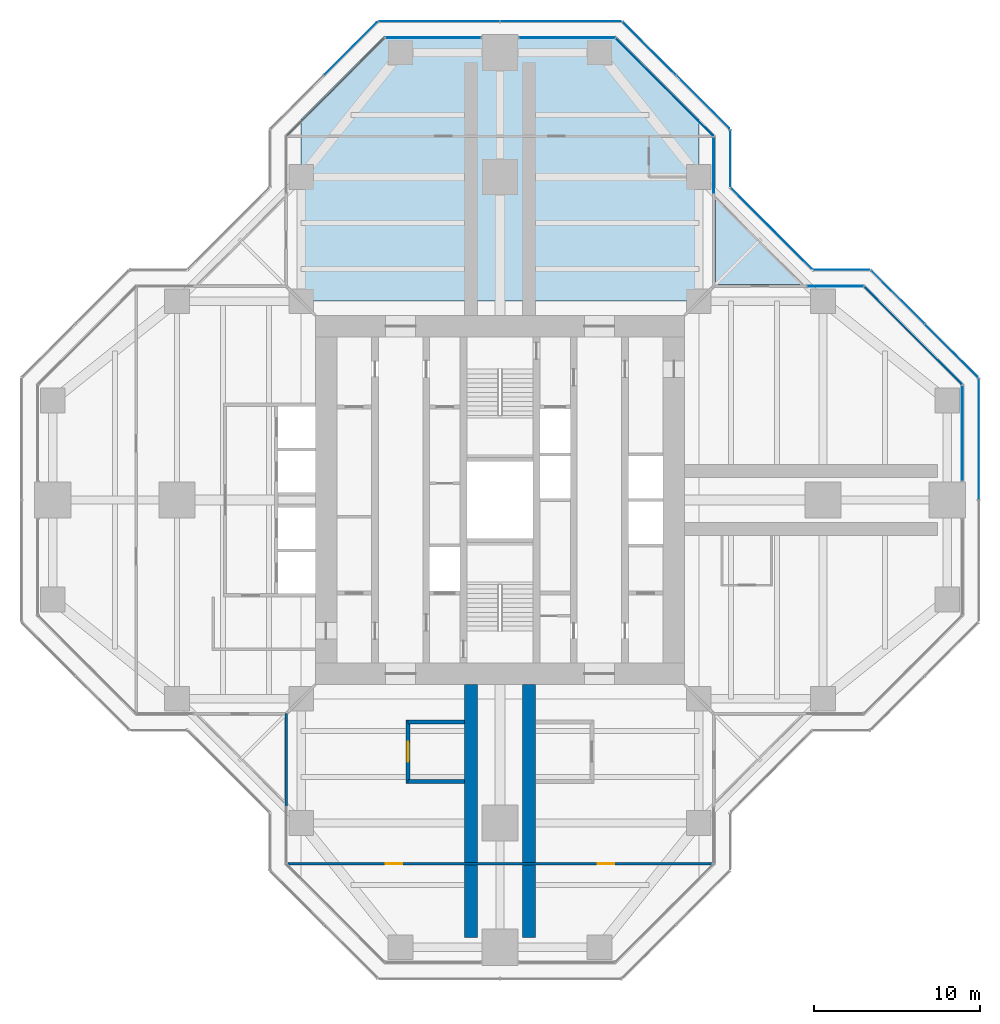
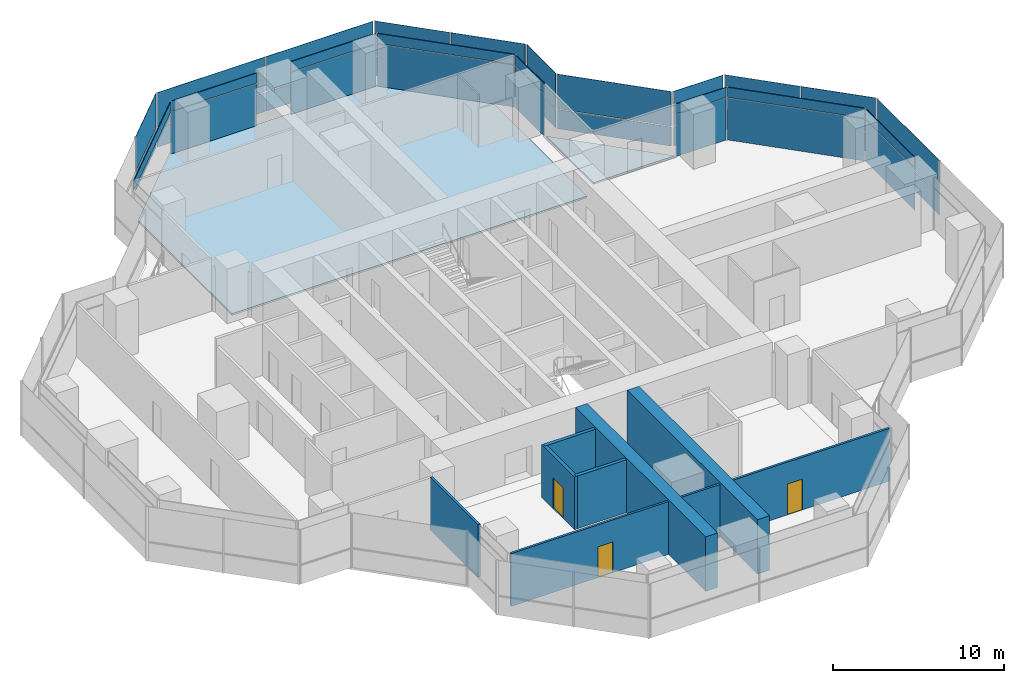
# One storey, part 12 of 17: 37 plates, 7 walls, 3 doors, 2 slabs, 3 openings, 16 elements without a shape of their own.
"""IFC4 building model written with IfcOpenShell, lengths in metres."""

from ifc_helpers import new_model, si_unit, direction, frame, frame_2d, origin, origin_2d, place, context, subcontext, project, spatial, polyline, rectangle, outline, extrude, material, layer, layer_set, type_object, element, fill, aggregate, save


model = new_model("IFC4")

# Units and contexts
model_context = context("Model", 3, precision=1e-05, world=origin(), true_north=direction((0.0, 1.0)))
body_context = subcontext(model_context, "Body", "Model", "MODEL_VIEW")
ifc_project = project(units=[si_unit("LENGTHUNIT", "METRE"), si_unit("AREAUNIT", "SQUARE_METRE"), si_unit("VOLUMEUNIT", "CUBIC_METRE"), si_unit("PLANEANGLEUNIT", "RADIAN"), si_unit("MASSUNIT", "GRAM", prefix="KILO")], contexts=[model_context])

# Site, building, storey
site_placement = place(None, origin())
site = spatial("IfcSite", under=ifc_project, at=site_placement, CompositionType="ELEMENT")
building_placement = place(site_placement, origin())
building = spatial("IfcBuilding", under=site, at=building_placement, Name="Mizan Broadcast Tower", CompositionType="ELEMENT")
storey_placement = place(building_placement, frame((0.0, 0.0, 224.39990234375)))
storey = spatial("IfcBuildingStorey", under=building, at=storey_placement, Name="L52", CompositionType="ELEMENT", Elevation=224.39990234375)

# Slab
ifc_material_1 = material(Name="Concrete C32/40", Category="concrete")
ifc_layer_1 = layer(ifc_material_1, 0.1298828125)
ifc_layer_set_1 = layer_set([ifc_layer_1], Name="Concrete C32/40")
slab_type_1 = type_object("IfcSlabType", Name="COMPOSITE DECK SLAB 130", PredefinedType="FLOOR", material=ifc_layer_set_1)
slab_1_placement = place(storey_placement, frame((0.0, 0.0, -0.1298828125)))
element("IfcSlab", 1, at=slab_1_placement, inside=storey, type_object=slab_type_1, Name="Floor slab L52 north arm", PredefinedType="FLOOR", context=body_context, shape_type="SweptSolid", body=[
    extrude(outline(polyline([(-7.0, 28.0), (-12.0, 23.0), (-12.0, 12.0), (12.0, 12.0), (12.0, 23.0), (7.0, 28.0), (-7.0, 28.0)])), origin(), (0.0, 0.0, 1.0), 0.1298828125),
])

# Curtain wall, plate
ifc_material_2 = material(Name="Aluminium framed glazing", Category="aluminium")
curtain_wall_type_1 = type_object("IfcCurtainWallType", Name="INNER SKIN HIGH ZONE", PredefinedType="USERDEFINED", material=ifc_material_2)
curtain_wall_1_placement = place(storey_placement, origin())
curtain_wall_1 = element("IfcCurtainWall", 2, at=curtain_wall_1_placement, inside=storey, type_object=curtain_wall_type_1, Name="Inner skin high zone L52 E end", ObjectType="INNER SKIN HIGH ZONE", PredefinedType="USERDEFINED")
ifc_material_3 = material(Name="Double glazing, clear low-e", Category="glass")
ifc_layer_2 = layer(ifc_material_3, 0.028076171875)
ifc_layer_set_2 = layer_set([ifc_layer_2], Name="Double glazing, clear low-e")
plate_type_1 = type_object("IfcPlateType", Name="INNER SKIN GLAZING UNIT", PredefinedType="CURTAIN_PANEL", material=ifc_layer_set_2)
plate_1_placement = place(storey_placement, frame((27.89990234375, 4.029296875, 0.0), z_axis=(0.0, 0.0, 1.0), x_axis=(0.0, 1.0, 0.0)))
plate_1 = element("IfcPlate", 3, at=plate_1_placement, type_object=plate_type_1, Name="Inner skin high zone L52 E end panel 1.1", PredefinedType="CURTAIN_PANEL", context=body_context, shape_type="SweptSolid", body=[
    extrude(rectangle(XDim=5.738525390625, YDim=0.028076171875, at=origin_2d()), origin(), (0.0, 0.0, 1.0), 3.0),
])

curtain_wall_2_placement = place(storey_placement, origin())
curtain_wall_2 = element("IfcCurtainWall", 4, at=curtain_wall_2_placement, inside=storey, type_object=curtain_wall_type_1, Name="Inner skin high zone L52 E chamfer", ObjectType="INNER SKIN HIGH ZONE", PredefinedType="USERDEFINED")
plate_2_placement = place(storey_placement, frame((24.92919921875, 9.92919921875, 0.0), z_axis=(0.0, 0.0, 1.0), x_axis=(-0.707106781187, 0.707106781187, 0.0)))
plate_2 = element("IfcPlate", 5, at=plate_2_placement, type_object=plate_type_1, Name="Inner skin high zone L52 E chamfer panel 1.1", PredefinedType="CURTAIN_PANEL", context=body_context, shape_type="SweptSolid", body=[
    extrude(rectangle(XDim=8.282470703125, YDim=0.028076171875, at=origin_2d()), origin(), (0.0, 0.0, 1.0), 3.0),
])

curtain_wall_3_placement = place(storey_placement, origin())
curtain_wall_3 = element("IfcCurtainWall", 6, at=curtain_wall_3_placement, inside=storey, type_object=curtain_wall_type_1, Name="Inner skin high zone L52 E side", ObjectType="INNER SKIN HIGH ZONE", PredefinedType="USERDEFINED")
plate_3_placement = place(storey_placement, frame((20.229248046875, 12.89990234375, 0.0), z_axis=(0.0, 0.0, 1.0), x_axis=(-1.0, 0.0, 0.0)))
plate_3 = element("IfcPlate", 7, at=plate_3_placement, type_object=plate_type_1, Name="Inner skin high zone L52 E side panel 1.1", PredefinedType="CURTAIN_PANEL", context=body_context, shape_type="SweptSolid", body=[
    extrude(rectangle(XDim=3.338623046875, YDim=0.028076171875, at=origin_2d()), origin(), (0.0, 0.0, 1.0), 3.0),
])

curtain_wall_4_placement = place(storey_placement, origin())
curtain_wall_4 = element("IfcCurtainWall", 8, at=curtain_wall_4_placement, inside=storey, type_object=curtain_wall_type_1, Name="Inner skin high zone L52 N side", ObjectType="INNER SKIN HIGH ZONE", PredefinedType="USERDEFINED")
plate_4_placement = place(storey_placement, frame((12.89990234375, 20.229248046875, 0.0), z_axis=(0.0, 0.0, 1.0), x_axis=(0.0, 1.0, 0.0)))
plate_4 = element("IfcPlate", 9, at=plate_4_placement, type_object=plate_type_1, Name="Inner skin high zone L52 N side panel 1.1", PredefinedType="CURTAIN_PANEL", context=body_context, shape_type="SweptSolid", body=[
    extrude(rectangle(XDim=3.338623046875, YDim=0.028076171875, at=origin_2d()), origin(), (0.0, 0.0, 1.0), 3.0),
])

curtain_wall_5_placement = place(storey_placement, origin())
curtain_wall_5 = element("IfcCurtainWall", 10, at=curtain_wall_5_placement, inside=storey, type_object=curtain_wall_type_1, Name="Inner skin high zone L52 N chamfer", ObjectType="INNER SKIN HIGH ZONE", PredefinedType="USERDEFINED")
plate_5_placement = place(storey_placement, frame((9.92919921875, 24.92919921875, 0.0), z_axis=(0.0, 0.0, 1.0), x_axis=(-0.707106781187, 0.707106781187, 0.0)))
plate_5 = element("IfcPlate", 11, at=plate_5_placement, type_object=plate_type_1, Name="Inner skin high zone L52 N chamfer panel 1.1", PredefinedType="CURTAIN_PANEL", context=body_context, shape_type="SweptSolid", body=[
    extrude(rectangle(XDim=8.282470703125, YDim=0.028076171875, at=origin_2d()), origin(), (0.0, 0.0, 1.0), 3.0),
])

curtain_wall_6_placement = place(storey_placement, origin())
curtain_wall_6 = element("IfcCurtainWall", 12, at=curtain_wall_6_placement, inside=storey, type_object=curtain_wall_type_1, Name="Inner skin high zone L52 N end", ObjectType="INNER SKIN HIGH ZONE", PredefinedType="USERDEFINED")
plate_6_placement = place(storey_placement, frame((4.029296875, 27.89990234375, 0.0), z_axis=(0.0, 0.0, 1.0), x_axis=(-1.0, 0.0, 0.0)))
plate_6 = element("IfcPlate", 13, at=plate_6_placement, type_object=plate_type_1, Name="Inner skin high zone L52 N end panel 1.1", PredefinedType="CURTAIN_PANEL", context=body_context, shape_type="SweptSolid", body=[
    extrude(rectangle(XDim=5.738525390625, YDim=0.028076171875, at=origin_2d()), origin(), (0.0, 0.0, 1.0), 3.0),
])

curtain_wall_7_placement = place(storey_placement, origin())
curtain_wall_7 = element("IfcCurtainWall", 14, at=curtain_wall_7_placement, inside=storey, type_object=curtain_wall_type_1, Name="Inner skin high zone L52 N end", ObjectType="INNER SKIN HIGH ZONE", PredefinedType="USERDEFINED")
plate_7_placement = place(storey_placement, frame((-4.029296875, 27.89990234375, 0.0), z_axis=(0.0, 0.0, 1.0), x_axis=(-1.0, 0.0, 0.0)))
plate_7 = element("IfcPlate", 15, at=plate_7_placement, type_object=plate_type_1, Name="Inner skin high zone L52 N end panel 1.1", PredefinedType="CURTAIN_PANEL", context=body_context, shape_type="SweptSolid", body=[
    extrude(rectangle(XDim=5.738525390625, YDim=0.028076171875, at=origin_2d()), origin(), (0.0, 0.0, 1.0), 3.0),
])

# Plate
ifc_material_4 = material(Name="Insulated aluminium spandrel panel, pale anodised", Category="aluminium")
ifc_layer_3 = layer(ifc_material_4, 0.050048828125)
ifc_layer_set_3 = layer_set([ifc_layer_3], Name="Insulated aluminium spandrel panel, pale anodised")
plate_type_2 = type_object("IfcPlateType", Name="INNER SKIN SPANDREL PANEL", PredefinedType="CURTAIN_PANEL", material=ifc_layer_set_3)
plate_8_placement = place(storey_placement, frame((27.89990234375, 4.029296875, 3.06005859375), z_axis=(0.0, 0.0, 1.0), x_axis=(0.0, 1.0, 0.0)))
plate_8 = element("IfcPlate", 16, at=plate_8_placement, type_object=plate_type_2, Name="Inner skin high zone L52 E end panel 1.2", PredefinedType="CURTAIN_PANEL", context=body_context, shape_type="SweptSolid", body=[
    extrude(rectangle(XDim=5.738525390625, YDim=0.050048828125, at=origin_2d()), origin(), (0.0, 0.0, 1.0), 0.7099609375),
])

aggregate(curtain_wall_1, [plate_1, plate_8])

plate_9_placement = place(storey_placement, frame((24.92919921875, 9.92919921875, 3.06005859375), z_axis=(0.0, 0.0, 1.0), x_axis=(-0.707106781187, 0.707106781187, 0.0)))
plate_9 = element("IfcPlate", 17, at=plate_9_placement, type_object=plate_type_2, Name="Inner skin high zone L52 E chamfer panel 1.2", PredefinedType="CURTAIN_PANEL", context=body_context, shape_type="SweptSolid", body=[
    extrude(rectangle(XDim=8.282470703125, YDim=0.050048828125, at=origin_2d()), origin(), (0.0, 0.0, 1.0), 0.7099609375),
])

aggregate(curtain_wall_2, [plate_2, plate_9])

plate_10_placement = place(storey_placement, frame((20.229248046875, 12.89990234375, 3.06005859375), z_axis=(0.0, 0.0, 1.0), x_axis=(-1.0, 0.0, 0.0)))
plate_10 = element("IfcPlate", 18, at=plate_10_placement, type_object=plate_type_2, Name="Inner skin high zone L52 E side panel 1.2", PredefinedType="CURTAIN_PANEL", context=body_context, shape_type="SweptSolid", body=[
    extrude(rectangle(XDim=3.338623046875, YDim=0.050048828125, at=origin_2d()), origin(), (0.0, 0.0, 1.0), 0.7099609375),
])

aggregate(curtain_wall_3, [plate_3, plate_10])

plate_11_placement = place(storey_placement, frame((12.89990234375, 20.229248046875, 3.06005859375), z_axis=(0.0, 0.0, 1.0), x_axis=(0.0, 1.0, 0.0)))
plate_11 = element("IfcPlate", 19, at=plate_11_placement, type_object=plate_type_2, Name="Inner skin high zone L52 N side panel 1.2", PredefinedType="CURTAIN_PANEL", context=body_context, shape_type="SweptSolid", body=[
    extrude(rectangle(XDim=3.338623046875, YDim=0.050048828125, at=origin_2d()), origin(), (0.0, 0.0, 1.0), 0.7099609375),
])

aggregate(curtain_wall_4, [plate_4, plate_11])

plate_12_placement = place(storey_placement, frame((9.92919921875, 24.92919921875, 3.06005859375), z_axis=(0.0, 0.0, 1.0), x_axis=(-0.707106781187, 0.707106781187, 0.0)))
plate_12 = element("IfcPlate", 20, at=plate_12_placement, type_object=plate_type_2, Name="Inner skin high zone L52 N chamfer panel 1.2", PredefinedType="CURTAIN_PANEL", context=body_context, shape_type="SweptSolid", body=[
    extrude(rectangle(XDim=8.282470703125, YDim=0.050048828125, at=origin_2d()), origin(), (0.0, 0.0, 1.0), 0.7099609375),
])

aggregate(curtain_wall_5, [plate_5, plate_12])

plate_13_placement = place(storey_placement, frame((4.029296875, 27.89990234375, 3.06005859375), z_axis=(0.0, 0.0, 1.0), x_axis=(-1.0, 0.0, 0.0)))
plate_13 = element("IfcPlate", 21, at=plate_13_placement, type_object=plate_type_2, Name="Inner skin high zone L52 N end panel 1.2", PredefinedType="CURTAIN_PANEL", context=body_context, shape_type="SweptSolid", body=[
    extrude(rectangle(XDim=5.738525390625, YDim=0.050048828125, at=origin_2d()), origin(), (0.0, 0.0, 1.0), 0.7099609375),
])

aggregate(curtain_wall_6, [plate_6, plate_13])

plate_14_placement = place(storey_placement, frame((-4.029296875, 27.89990234375, 3.06005859375), z_axis=(0.0, 0.0, 1.0), x_axis=(-1.0, 0.0, 0.0)))
plate_14 = element("IfcPlate", 22, at=plate_14_placement, type_object=plate_type_2, Name="Inner skin high zone L52 N end panel 1.2", PredefinedType="CURTAIN_PANEL", context=body_context, shape_type="SweptSolid", body=[
    extrude(rectangle(XDim=5.738525390625, YDim=0.050048828125, at=origin_2d()), origin(), (0.0, 0.0, 1.0), 0.7099609375),
])

aggregate(curtain_wall_7, [plate_7, plate_14])

# Curtain wall, plate
curtain_wall_8_placement = place(storey_placement, origin())
curtain_wall_8 = element("IfcCurtainWall", 23, at=curtain_wall_8_placement, inside=storey, type_object=curtain_wall_type_1, Name="Inner skin high zone L52 N chamfer", ObjectType="INNER SKIN HIGH ZONE", PredefinedType="USERDEFINED")
plate_15_placement = place(storey_placement, frame((-9.92919921875, 24.92919921875, 3.06005859375), z_axis=(0.0, 0.0, 1.0), x_axis=(-0.707106781187, -0.707106781187, 0.0)))
plate_15 = element("IfcPlate", 24, at=plate_15_placement, type_object=plate_type_2, Name="Inner skin high zone L52 N chamfer panel 1.2", PredefinedType="CURTAIN_PANEL", context=body_context, shape_type="SweptSolid", body=[
    extrude(rectangle(XDim=8.282470703125, YDim=0.050048828125, at=origin_2d()), origin(), (0.0, 0.0, 1.0), 0.7099609375),
])
aggregate(curtain_wall_8, [plate_15])

# Curtain wall, plates
ifc_material_5 = material(Name="Aluminium framed glazing", Category="aluminium")
curtain_wall_type_2 = type_object("IfcCurtainWallType", Name="OUTER SKIN", PredefinedType="USERDEFINED", material=ifc_material_5)
curtain_wall_9_placement = place(storey_placement, origin())
curtain_wall_9 = element("IfcCurtainWall", 25, at=curtain_wall_9_placement, inside=storey, type_object=curtain_wall_type_2, Name="Outer skin L52 E chamfer", ObjectType="OUTER SKIN", PredefinedType="USERDEFINED")
ifc_material_6 = material(Name="Laminated clear glass", Category="glass")
ifc_layer_4 = layer(ifc_material_6, 0.02001953125)
ifc_layer_set_4 = layer_set([ifc_layer_4], Name="Laminated clear glass")
plate_type_3 = type_object("IfcPlateType", Name="OUTER SKIN CLEAR GLASS", PredefinedType="CURTAIN_PANEL", material=ifc_layer_set_4)
plate_16_placement = place(storey_placement, frame((27.254150390625, 9.018798828125, 0.0), z_axis=(0.0, 0.0, 1.0), x_axis=(-0.707106781187, 0.707106781187, 0.0)))
plate_16 = element("IfcPlate", 26, at=plate_16_placement, type_object=plate_type_3, Name="Outer skin L52 E chamfer panel 1.1", PredefinedType="CURTAIN_PANEL", context=body_context, shape_type="SweptSolid", body=[
    extrude(rectangle(XDim=4.495361328125, YDim=0.02001953125, at=origin_2d()), origin(), (0.0, 0.0, 1.0), 1.3701171875),
])
plate_17_placement = place(storey_placement, frame((27.254150390625, 9.018798828125, 1.43017578125), z_axis=(0.0, 0.0, 1.0), x_axis=(-0.707106781187, 0.707106781187, 0.0)))
plate_17 = element("IfcPlate", 27, at=plate_17_placement, type_object=plate_type_3, Name="Outer skin L52 E chamfer panel 1.2", PredefinedType="CURTAIN_PANEL", context=body_context, shape_type="SweptSolid", body=[
    extrude(rectangle(XDim=4.495361328125, YDim=0.02001953125, at=origin_2d()), origin(), (0.0, 0.0, 1.0), 2.469970703125),
])

curtain_wall_10_placement = place(storey_placement, origin())
curtain_wall_10 = element("IfcCurtainWall", 28, at=curtain_wall_10_placement, inside=storey, type_object=curtain_wall_type_2, Name="Outer skin L52 E side", ObjectType="OUTER SKIN", PredefinedType="USERDEFINED")
plate_18_placement = place(storey_placement, frame((20.622802734375, 13.89990234375, 0.0), z_axis=(0.0, 0.0, 1.0), x_axis=(-1.0, 0.0, 0.0)))
plate_18 = element("IfcPlate", 29, at=plate_18_placement, type_object=plate_type_3, Name="Outer skin L52 E side panel 1.1", PredefinedType="CURTAIN_PANEL", context=body_context, shape_type="SweptSolid", body=[
    extrude(rectangle(XDim=3.340087890625, YDim=0.02001953125, at=origin_2d()), origin(), (0.0, 0.0, 1.0), 1.3701171875),
])
plate_19_placement = place(storey_placement, frame((20.622802734375, 13.89990234375, 1.43017578125), z_axis=(0.0, 0.0, 1.0), x_axis=(-1.0, 0.0, 0.0)))
plate_19 = element("IfcPlate", 30, at=plate_19_placement, type_object=plate_type_3, Name="Outer skin L52 E side panel 1.2", PredefinedType="CURTAIN_PANEL", context=body_context, shape_type="SweptSolid", body=[
    extrude(rectangle(XDim=3.340087890625, YDim=0.02001953125, at=origin_2d()), origin(), (0.0, 0.0, 1.0), 2.469970703125),
])
aggregate(curtain_wall_10, [plate_18, plate_19])

curtain_wall_11_placement = place(storey_placement, origin())
curtain_wall_11 = element("IfcCurtainWall", 31, at=curtain_wall_11_placement, inside=storey, type_object=curtain_wall_type_2, Name="Outer skin L52 E chamfer", ObjectType="OUTER SKIN", PredefinedType="USERDEFINED")
plate_20_placement = place(storey_placement, frame((16.386474609375, 16.386474609375, 0.0), z_axis=(0.0, 0.0, 1.0), x_axis=(-0.707106781187, 0.707106781187, 0.0)))
plate_20 = element("IfcPlate", 32, at=plate_20_placement, type_object=plate_type_3, Name="Outer skin L52 E chamfer panel 1.1", PredefinedType="CURTAIN_PANEL", context=body_context, shape_type="SweptSolid", body=[
    extrude(rectangle(XDim=6.87255859375, YDim=0.02001953125, at=origin_2d()), origin(), (0.0, 0.0, 1.0), 1.3701171875),
])
plate_21_placement = place(storey_placement, frame((16.386474609375, 16.386474609375, 1.43017578125), z_axis=(0.0, 0.0, 1.0), x_axis=(-0.707106781187, 0.707106781187, 0.0)))
plate_21 = element("IfcPlate", 33, at=plate_21_placement, type_object=plate_type_3, Name="Outer skin L52 E chamfer panel 1.2", PredefinedType="CURTAIN_PANEL", context=body_context, shape_type="SweptSolid", body=[
    extrude(rectangle(XDim=6.87255859375, YDim=0.02001953125, at=origin_2d()), origin(), (0.0, 0.0, 1.0), 2.469970703125),
])
aggregate(curtain_wall_11, [plate_20, plate_21])

curtain_wall_12_placement = place(storey_placement, origin())
curtain_wall_12 = element("IfcCurtainWall", 34, at=curtain_wall_12_placement, inside=storey, type_object=curtain_wall_type_2, Name="Outer skin L52 N side", ObjectType="OUTER SKIN", PredefinedType="USERDEFINED")
plate_22_placement = place(storey_placement, frame((13.89990234375, 20.622802734375, 0.0), z_axis=(0.0, 0.0, 1.0), x_axis=(0.0, 1.0, 0.0)))
plate_22 = element("IfcPlate", 35, at=plate_22_placement, type_object=plate_type_3, Name="Outer skin L52 N side panel 1.1", PredefinedType="CURTAIN_PANEL", context=body_context, shape_type="SweptSolid", body=[
    extrude(rectangle(XDim=3.340087890625, YDim=0.02001953125, at=origin_2d()), origin(), (0.0, 0.0, 1.0), 1.3701171875),
])
plate_23_placement = place(storey_placement, frame((13.89990234375, 20.622802734375, 1.43017578125), z_axis=(0.0, 0.0, 1.0), x_axis=(0.0, 1.0, 0.0)))
plate_23 = element("IfcPlate", 36, at=plate_23_placement, type_object=plate_type_3, Name="Outer skin L52 N side panel 1.2", PredefinedType="CURTAIN_PANEL", context=body_context, shape_type="SweptSolid", body=[
    extrude(rectangle(XDim=3.340087890625, YDim=0.02001953125, at=origin_2d()), origin(), (0.0, 0.0, 1.0), 2.469970703125),
])
aggregate(curtain_wall_12, [plate_22, plate_23])

curtain_wall_13_placement = place(storey_placement, origin())
curtain_wall_13 = element("IfcCurtainWall", 37, at=curtain_wall_13_placement, inside=storey, type_object=curtain_wall_type_2, Name="Outer skin L52 N chamfer", ObjectType="OUTER SKIN", PredefinedType="USERDEFINED")
plate_24_placement = place(storey_placement, frame((12.254150390625, 24.018798828125, 0.0), z_axis=(0.0, 0.0, 1.0), x_axis=(-0.707106781187, 0.707106781187, 0.0)))
plate_24 = element("IfcPlate", 38, at=plate_24_placement, type_object=plate_type_3, Name="Outer skin L52 N chamfer panel 1.1", PredefinedType="CURTAIN_PANEL", context=body_context, shape_type="SweptSolid", body=[
    extrude(rectangle(XDim=4.495361328125, YDim=0.02001953125, at=origin_2d()), origin(), (0.0, 0.0, 1.0), 1.3701171875),
])
plate_25_placement = place(storey_placement, frame((12.254150390625, 24.018798828125, 1.43017578125), z_axis=(0.0, 0.0, 1.0), x_axis=(-0.707106781187, 0.707106781187, 0.0)))
plate_25 = element("IfcPlate", 39, at=plate_25_placement, type_object=plate_type_3, Name="Outer skin L52 N chamfer panel 1.2", PredefinedType="CURTAIN_PANEL", context=body_context, shape_type="SweptSolid", body=[
    extrude(rectangle(XDim=4.495361328125, YDim=0.02001953125, at=origin_2d()), origin(), (0.0, 0.0, 1.0), 2.469970703125),
])

curtain_wall_14_placement = place(storey_placement, origin())
curtain_wall_14 = element("IfcCurtainWall", 40, at=curtain_wall_14_placement, inside=storey, type_object=curtain_wall_type_2, Name="Outer skin L52 N end", ObjectType="OUTER SKIN", PredefinedType="USERDEFINED")
plate_26_placement = place(storey_placement, frame((3.66650390625, 28.89990234375, 0.0), z_axis=(0.0, 0.0, 1.0), x_axis=(-1.0, 0.0, 0.0)))
plate_26 = element("IfcPlate", 41, at=plate_26_placement, type_object=plate_type_3, Name="Outer skin L52 N end panel 1.1", PredefinedType="CURTAIN_PANEL", context=body_context, shape_type="SweptSolid", body=[
    extrude(rectangle(XDim=7.252685546875, YDim=0.02001953125, at=origin_2d()), origin(), (0.0, 0.0, 1.0), 1.3701171875),
])
plate_27_placement = place(storey_placement, frame((3.66650390625, 28.89990234375, 1.43017578125), z_axis=(0.0, 0.0, 1.0), x_axis=(-1.0, 0.0, 0.0)))
plate_27 = element("IfcPlate", 42, at=plate_27_placement, type_object=plate_type_3, Name="Outer skin L52 N end panel 1.2", PredefinedType="CURTAIN_PANEL", context=body_context, shape_type="SweptSolid", body=[
    extrude(rectangle(XDim=7.252685546875, YDim=0.02001953125, at=origin_2d()), origin(), (0.0, 0.0, 1.0), 2.469970703125),
])
plate_28_placement = place(storey_placement, frame((-3.66650390625, 28.89990234375, 0.0), z_axis=(0.0, 0.0, 1.0), x_axis=(-1.0, 0.0, 0.0)))
plate_28 = element("IfcPlate", 43, at=plate_28_placement, type_object=plate_type_3, Name="Outer skin L52 N end panel 2.1", PredefinedType="CURTAIN_PANEL", context=body_context, shape_type="SweptSolid", body=[
    extrude(rectangle(XDim=7.252685546875, YDim=0.02001953125, at=origin_2d()), origin(), (0.0, 0.0, 1.0), 1.3701171875),
])
plate_29_placement = place(storey_placement, frame((-3.66650390625, 28.89990234375, 1.43017578125), z_axis=(0.0, 0.0, 1.0), x_axis=(-1.0, 0.0, 0.0)))
plate_29 = element("IfcPlate", 44, at=plate_29_placement, type_object=plate_type_3, Name="Outer skin L52 N end panel 2.2", PredefinedType="CURTAIN_PANEL", context=body_context, shape_type="SweptSolid", body=[
    extrude(rectangle(XDim=7.252685546875, YDim=0.02001953125, at=origin_2d()), origin(), (0.0, 0.0, 1.0), 2.469970703125),
])
aggregate(curtain_wall_14, [plate_26, plate_27, plate_28, plate_29])

curtain_wall_15_placement = place(storey_placement, origin())
curtain_wall_15 = element("IfcCurtainWall", 45, at=curtain_wall_15_placement, inside=storey, type_object=curtain_wall_type_2, Name="Outer skin L52 N chamfer", ObjectType="OUTER SKIN", PredefinedType="USERDEFINED")
plate_30_placement = place(storey_placement, frame((-9.018798828125, 27.254150390625, 0.0), z_axis=(0.0, 0.0, 1.0), x_axis=(-0.707106781187, -0.707106781187, 0.0)))
plate_30 = element("IfcPlate", 46, at=plate_30_placement, type_object=plate_type_3, Name="Outer skin L52 N chamfer panel 1.1", PredefinedType="CURTAIN_PANEL", context=body_context, shape_type="SweptSolid", body=[
    extrude(rectangle(XDim=4.495361328125, YDim=0.02001953125, at=origin_2d()), origin(), (0.0, 0.0, 1.0), 1.3701171875),
])
plate_31_placement = place(storey_placement, frame((-9.018798828125, 27.254150390625, 1.43017578125), z_axis=(0.0, 0.0, 1.0), x_axis=(-0.707106781187, -0.707106781187, 0.0)))
plate_31 = element("IfcPlate", 47, at=plate_31_placement, type_object=plate_type_3, Name="Outer skin L52 N chamfer panel 1.2", PredefinedType="CURTAIN_PANEL", context=body_context, shape_type="SweptSolid", body=[
    extrude(rectangle(XDim=4.495361328125, YDim=0.02001953125, at=origin_2d()), origin(), (0.0, 0.0, 1.0), 2.469970703125),
])
aggregate(curtain_wall_15, [plate_30, plate_31])

curtain_wall_16_placement = place(storey_placement, origin())
curtain_wall_16 = element("IfcCurtainWall", 48, at=curtain_wall_16_placement, inside=storey, type_object=curtain_wall_type_2, Name="Outer skin L52 E end", ObjectType="OUTER SKIN", PredefinedType="USERDEFINED")
ifc_material_7 = material(Name="Perforated aluminium, pale anodised", Category="aluminium")
ifc_layer_5 = layer(ifc_material_7, 0.011962890625)
ifc_layer_set_5 = layer_set([ifc_layer_5], Name="Perforated aluminium, pale anodised")
plate_type_4 = type_object("IfcPlateType", Name="OUTER SKIN PERFORATED SCREEN", PredefinedType="USERDEFINED", material=ifc_layer_set_5)
plate_32_placement = place(storey_placement, frame((28.89990234375, 3.66650390625, 0.0), z_axis=(0.0, 0.0, 1.0), x_axis=(0.0, 1.0, 0.0)))
plate_32 = element("IfcPlate", 49, at=plate_32_placement, type_object=plate_type_4, Name="Outer skin L52 E end panel 2.1", ObjectType="SCREEN", PredefinedType="USERDEFINED", context=body_context, shape_type="SweptSolid", body=[
    extrude(rectangle(XDim=7.252685546875, YDim=0.011962890625, at=origin_2d()), origin(), (0.0, 0.0, 1.0), 1.3701171875),
])
plate_33_placement = place(storey_placement, frame((28.89990234375, 3.66650390625, 1.43017578125), z_axis=(0.0, 0.0, 1.0), x_axis=(0.0, 1.0, 0.0)))
plate_33 = element("IfcPlate", 50, at=plate_33_placement, type_object=plate_type_4, Name="Outer skin L52 E end panel 2.2", ObjectType="SCREEN", PredefinedType="USERDEFINED", context=body_context, shape_type="SweptSolid", body=[
    extrude(rectangle(XDim=7.252685546875, YDim=0.011962890625, at=origin_2d()), origin(), (0.0, 0.0, 1.0), 2.469970703125),
])
aggregate(curtain_wall_16, [plate_32, plate_33])

# Plate
plate_34_placement = place(storey_placement, frame((24.018798828125, 12.254150390625, 0.0), z_axis=(0.0, 0.0, 1.0), x_axis=(-0.707106781187, 0.707106781187, 0.0)))
plate_34 = element("IfcPlate", 51, at=plate_34_placement, type_object=plate_type_4, Name="Outer skin L52 E chamfer panel 2.1", ObjectType="SCREEN", PredefinedType="USERDEFINED", context=body_context, shape_type="SweptSolid", body=[
    extrude(rectangle(XDim=4.495361328125, YDim=0.011962890625, at=origin_2d()), origin(), (0.0, 0.0, 1.0), 1.3701171875),
])

plate_35_placement = place(storey_placement, frame((24.018798828125, 12.254150390625, 1.43017578125), z_axis=(0.0, 0.0, 1.0), x_axis=(-0.707106781187, 0.707106781187, 0.0)))
plate_35 = element("IfcPlate", 52, at=plate_35_placement, type_object=plate_type_4, Name="Outer skin L52 E chamfer panel 2.2", ObjectType="SCREEN", PredefinedType="USERDEFINED", context=body_context, shape_type="SweptSolid", body=[
    extrude(rectangle(XDim=4.495361328125, YDim=0.011962890625, at=origin_2d()), origin(), (0.0, 0.0, 1.0), 2.469970703125),
])

aggregate(curtain_wall_9, [plate_16, plate_17, plate_34, plate_35])

plate_36_placement = place(storey_placement, frame((9.018798828125, 27.254150390625, 0.0), z_axis=(0.0, 0.0, 1.0), x_axis=(-0.707106781187, 0.707106781187, 0.0)))
plate_36 = element("IfcPlate", 53, at=plate_36_placement, type_object=plate_type_4, Name="Outer skin L52 N chamfer panel 2.1", ObjectType="SCREEN", PredefinedType="USERDEFINED", context=body_context, shape_type="SweptSolid", body=[
    extrude(rectangle(XDim=4.495361328125, YDim=0.011962890625, at=origin_2d()), origin(), (0.0, 0.0, 1.0), 1.3701171875),
])

plate_37_placement = place(storey_placement, frame((9.018798828125, 27.254150390625, 1.43017578125), z_axis=(0.0, 0.0, 1.0), x_axis=(-0.707106781187, 0.707106781187, 0.0)))
plate_37 = element("IfcPlate", 54, at=plate_37_placement, type_object=plate_type_4, Name="Outer skin L52 N chamfer panel 2.2", ObjectType="SCREEN", PredefinedType="USERDEFINED", context=body_context, shape_type="SweptSolid", body=[
    extrude(rectangle(XDim=4.495361328125, YDim=0.011962890625, at=origin_2d()), origin(), (0.0, 0.0, 1.0), 2.469970703125),
])

aggregate(curtain_wall_13, [plate_24, plate_25, plate_36, plate_37])

# Slab
ifc_material_8 = material(Name="Concrete C32/40", Category="concrete")
ifc_layer_6 = layer(ifc_material_8, 0.1298828125)
ifc_layer_set_6 = layer_set([ifc_layer_6], Name="Concrete C32/40")
slab_type_2 = type_object("IfcSlabType", Name="WINTER GARDEN SLAB 130", PredefinedType="FLOOR", material=ifc_layer_set_6)
slab_2_placement = place(storey_placement, frame((0.0, 0.0, -0.1298828125)))
element("IfcSlab", 55, at=slab_2_placement, inside=storey, type_object=slab_type_2, Name="Winter garden slab L52 E", PredefinedType="FLOOR", context=body_context, shape_type="SweptSolid", body=[
    extrude(outline(polyline([(13.0, 13.0), (18.5, 13.0), (13.0, 18.5), (13.0, 13.0)])), origin(), (0.0, 0.0, 1.0), 0.1298828125),
])

# Wall
ifc_material_9 = material(Name="Aluminium framed glazed screen", Category="aluminium")
ifc_layer_7 = layer(ifc_material_9, 0.159912109375)
ifc_layer_set_7 = layer_set([ifc_layer_7], Name="Aluminium framed glazed screen")
wall_type_1 = type_object("IfcWallType", Name="GLAZED SCREEN WALL 160", PredefinedType="SOLIDWALL", material=ifc_layer_set_7)
wall_1_placement = place(storey_placement, frame((-12.89990234375, -12.89990234375, 0.0), z_axis=(0.0, 0.0, 1.0), x_axis=(0.0, -1.0, 0.0)))
element("IfcWall", 56, at=wall_1_placement, inside=storey, type_object=wall_type_1, Name="Winter garden screen L52 S", PredefinedType="SOLIDWALL", context=body_context, shape_type="SweptSolid", body=[
    extrude(rectangle(XDim=5.60009765625, YDim=0.159912109375, at=frame_2d((2.800048828125, 0.0))), origin(), (0.0, 0.0, 1.0), 3.77001953125),
])

# Wall, openings, doors
ifc_material_10 = material(Name="Gypsum board on steel studs", Category="steel")
ifc_layer_8 = layer(ifc_material_10, 0.14990234375)
ifc_layer_set_8 = layer_set([ifc_layer_8], Name="Gypsum board on steel studs")
wall_type_2 = type_object("IfcWallType", Name="PARTITION 150", PredefinedType="PARTITIONING", material=ifc_layer_set_8)
wall_2_placement = place(storey_placement, frame((-12.786376953125, -21.958984375, 0.0), z_axis=(0.0, 0.0, 1.0), x_axis=(1.0, 0.0, 0.0)))
wall_2 = element("IfcWall", 57, at=wall_2_placement, inside=storey, type_object=wall_type_2, Name="Partition PT/SX1", PredefinedType="PARTITIONING", context=body_context, shape_type="SweptSolid", body=[
    extrude(rectangle(XDim=25.57275390625, YDim=0.14990234375, at=frame_2d((12.786376953125, 0.0))), origin(), (0.0, 0.0, 1.0), 3.77001953125),
])
opening_1_placement = place(wall_2_placement, frame((18.6865234375, 0.0, 0.0)))
opening_1 = element("IfcOpeningElement", 58, at=opening_1_placement, cuts=wall_2, Name="Opening D10", PredefinedType="OPENING", context=body_context, shape_type="SweptSolid", body=[
    extrude(rectangle(XDim=1.0, YDim=2.199951171875, at=frame_2d((0.5, 1.10009765625))), frame((0.0, 0.0849609375, 0.0), z_axis=(0.0, -1.0, 0.0), x_axis=(1.0, 0.0, 0.0)), (0.0, 0.0, 1.0), 0.169921875),
])
opening_2_placement = place(wall_2_placement, frame((5.886474609375, 0.0, 0.0)))
opening_2 = element("IfcOpeningElement", 59, at=opening_2_placement, cuts=wall_2, Name="Opening D10", PredefinedType="OPENING", context=body_context, shape_type="SweptSolid", body=[
    extrude(rectangle(XDim=1.0, YDim=2.199951171875, at=frame_2d((0.5, 1.10009765625))), frame((0.0, 0.0849609375, 0.0), z_axis=(0.0, -1.0, 0.0), x_axis=(1.0, 0.0, 0.0)), (0.0, 0.0, 1.0), 0.169921875),
])
ifc_material_11 = material(Name="Timber door leaf in aluminium frame", Category="wood")
door_type_1 = type_object("IfcDoorType", Name="ROOM DOOR 1000", OperationType="SINGLE_SWING_LEFT", PredefinedType="DOOR", material=ifc_material_11)
door_1_placement = place(opening_1_placement, origin())
door_1 = element("IfcDoor", 60, at=door_1_placement, inside=storey, type_object=door_type_1, Name="Meeting room door", OperationType="SINGLE_SWING_RIGHT", OverallHeight=2.199951171875, OverallWidth=1.0, PredefinedType="DOOR", context=body_context, shape_type="SweptSolid", body=[
    extrude(rectangle(XDim=1.0, YDim=2.199951171875, at=frame_2d((0.5, 1.10009765625))), frame((0.0, 0.02490234375, 0.0), z_axis=(0.0, -1.0, 0.0), x_axis=(1.0, 0.0, 0.0)), (0.0, 0.0, 1.0), 0.050048828125),
])
fill(opening_1, door_1)
door_2_placement = place(opening_2_placement, origin())
door_2 = element("IfcDoor", 61, at=door_2_placement, inside=storey, type_object=door_type_1, Name="Meeting room door", OperationType="SINGLE_SWING_LEFT", OverallHeight=2.199951171875, OverallWidth=1.0, PredefinedType="DOOR", context=body_context, shape_type="SweptSolid", body=[
    extrude(rectangle(XDim=1.0, YDim=2.199951171875, at=frame_2d((0.5, 1.10009765625))), frame((0.0, 0.02490234375, 0.0), z_axis=(0.0, -1.0, 0.0), x_axis=(1.0, 0.0, 0.0)), (0.0, 0.0, 1.0), 0.050048828125),
])
fill(opening_2, door_2)

# Walls
ifc_material_12 = material(Name="Twin steel stud acoustic partition, four layers of gypsum board", Category="steel")
ifc_layer_9 = layer(ifc_material_12, 0.22509765625)
ifc_layer_set_9 = layer_set([ifc_layer_9], Name="Twin steel stud acoustic partition, four layers of gypsum board")
wall_type_3 = type_object("IfcWallType", Name="PARTITION ACOUSTIC 225", PredefinedType="PARTITIONING", material=ifc_layer_set_9)
for number, where, z_axis, x_axis, name in (
    (62, (-2.14990234375, -13.39990234375, 0.0), (0.0, 0.0, 1.0), (-1.0, 0.0, 0.0), "Acoustic partition PT/SKN0a"),
    (63, (-2.14990234375, -17.0, 0.0), (0.0, 0.0, 1.0), (-1.0, 0.0, 0.0), "Acoustic partition PT/SKN0b"),
):
    element("IfcWall", number, at=place(storey_placement, frame(where, z_axis=z_axis, x_axis=x_axis)), inside=storey, type_object=wall_type_3, Name=name, PredefinedType="PARTITIONING", context=body_context, shape_type="SweptSolid", body=[
        extrude(rectangle(XDim=3.400146484375, YDim=0.22509765625, at=frame_2d((1.7001953125, 0.0))), origin(), (0.0, 0.0, 1.0), 3.77001953125),
    ])

# Wall, opening, door
wall_3_placement = place(storey_placement, frame((-5.550048828125, -13.28759765625, 0.0), z_axis=(0.0, 0.0, 1.0), x_axis=(0.0, -1.0, 0.0)))
wall_3 = element("IfcWall", 64, at=wall_3_placement, inside=storey, type_object=wall_type_3, Name="Acoustic partition PT/SKN0f", PredefinedType="PARTITIONING", context=body_context, shape_type="SweptSolid", body=[
    extrude(rectangle(XDim=3.824951171875, YDim=0.22509765625, at=frame_2d((1.91259765625, 0.0))), origin(), (0.0, 0.0, 1.0), 3.77001953125),
])
opening_3_placement = place(wall_3_placement, frame((1.3125, 0.0, 0.0)))
opening_3 = element("IfcOpeningElement", 65, at=opening_3_placement, cuts=wall_3, Name="Opening D12A", PredefinedType="OPENING", context=body_context, shape_type="SweptSolid", body=[
    extrude(rectangle(XDim=1.199951171875, YDim=2.199951171875, at=frame_2d((0.60009765625, 1.10009765625))), frame((0.0, 0.12255859375, 0.0), z_axis=(0.0, -1.0, 0.0), x_axis=(1.0, 0.0, 0.0)), (0.0, 0.0, 1.0), 0.2451171875),
])
ifc_material_13 = material(Name="Timber door leaf in aluminium frame", Category="wood")
door_type_2 = type_object("IfcDoorType", Name="ACOUSTIC DOOR 1200", OperationType="SINGLE_SWING_LEFT", PredefinedType="DOOR", material=ifc_material_13)
door_3_placement = place(opening_3_placement, origin())
door_3 = element("IfcDoor", 66, at=door_3_placement, inside=storey, type_object=door_type_2, Name="Edit suite door", OperationType="SINGLE_SWING_LEFT", OverallHeight=2.199951171875, OverallWidth=1.199951171875, PredefinedType="DOOR", context=body_context, shape_type="SweptSolid", body=[
    extrude(rectangle(XDim=1.199951171875, YDim=2.199951171875, at=frame_2d((0.60009765625, 1.10009765625))), frame((0.0, 0.02490234375, 0.0), z_axis=(0.0, -1.0, 0.0), x_axis=(1.0, 0.0, 0.0)), (0.0, 0.0, 1.0), 0.050048828125),
])
fill(opening_3, door_3)

# Walls
ifc_material_14 = material(Name="Concrete C70/85", Category="concrete")
ifc_layer_10 = layer(ifc_material_14, 0.800048828125)
ifc_layer_set_10 = layer_set([ifc_layer_10], Name="Concrete C70/85")
wall_type_4 = type_object("IfcWallType", Name="SPINE WALL 800", PredefinedType="SHEAR", material=ifc_layer_set_10)
for number, where, z_axis, x_axis, name in (
    (67, (-1.75, -11.14990234375, 0.0), (0.0, 0.0, 1.0), (0.0, -1.0, 0.0), "Spine wall SR L52"),
    (68, (1.75, -11.14990234375, 0.0), (0.0, 0.0, 1.0), (0.0, -1.0, 0.0), "Spine wall SL L52"),
):
    element("IfcWall", number, at=place(storey_placement, frame(where, z_axis=z_axis, x_axis=x_axis)), inside=storey, type_object=wall_type_4, Name=name, PredefinedType="SHEAR", context=body_context, shape_type="SweptSolid", body=[
        extrude(rectangle(XDim=15.25, YDim=0.800048828125, at=frame_2d((7.625, 0.0))), origin(), (0.0, 0.0, 1.0), 3.900146484375),
    ])

save(model, "model.ifc")
